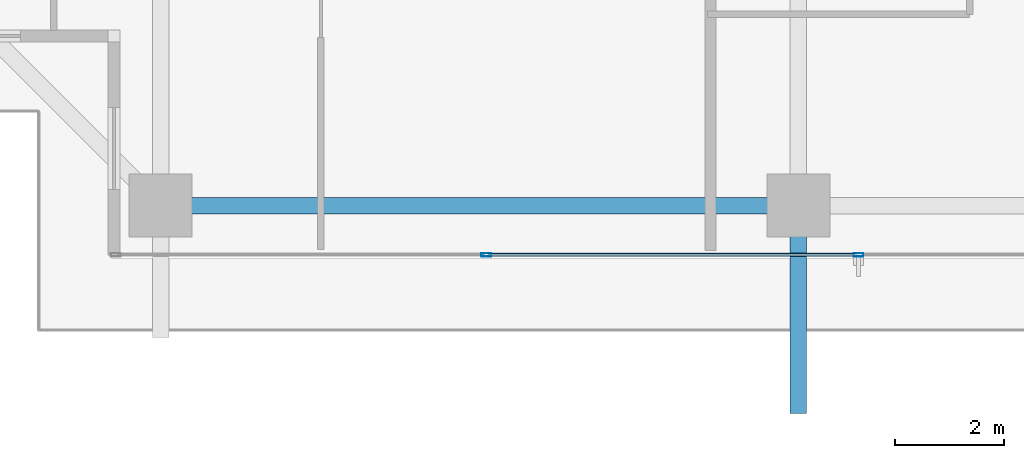
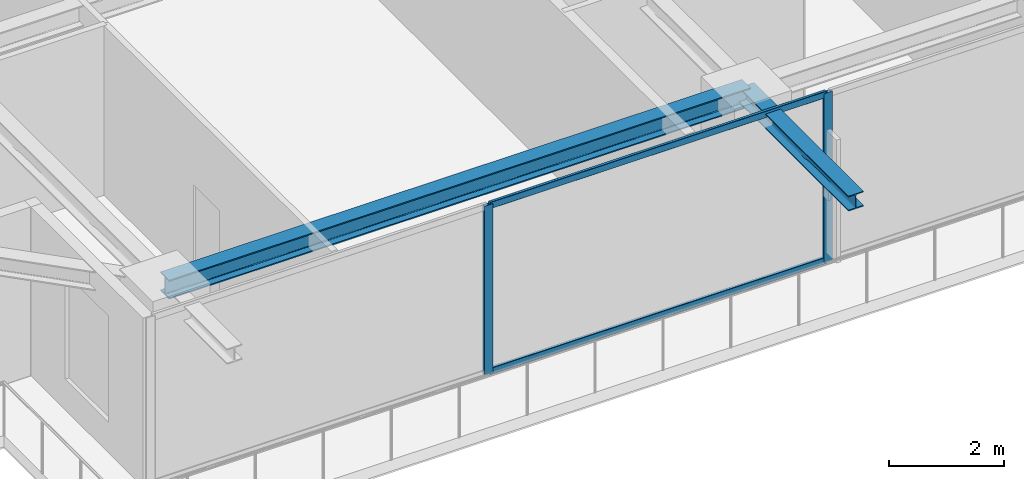
# One storey, part 5 of 40: 4 members, 2 beams, 1 element without a shape of its own.
"""IFC4 building model written with IfcOpenShell, lengths in metres."""

from ifc_helpers import new_model, si_unit, direction, frame, origin, origin_2d, place, context, subcontext, project, spatial, hollow_rectangle, i_section, extrude, source, transform, mapped, material, layer, layer_set, material_profile, profile_set, type_object, element, aggregate, save


model = new_model("IFC4")

# Units and contexts
model_context = context("Model", 3, precision=1e-05, world=origin(), true_north=direction((0.0, 1.0)))
body_context = subcontext(model_context, "Body", "Model", "MODEL_VIEW")
ifc_project = project(units=[si_unit("LENGTHUNIT", "METRE"), si_unit("AREAUNIT", "SQUARE_METRE"), si_unit("VOLUMEUNIT", "CUBIC_METRE"), si_unit("PLANEANGLEUNIT", "RADIAN"), si_unit("MASSUNIT", "GRAM", prefix="KILO")], contexts=[model_context])

# Site, building, storey
site_placement = place(None, origin())
site = spatial("IfcSite", under=ifc_project, at=site_placement, CompositionType="ELEMENT")
building_placement = place(site_placement, origin())
building = spatial("IfcBuilding", under=site, at=building_placement, Name="Serunith Strait Residences", CompositionType="ELEMENT")
storey_placement = place(building_placement, frame((0.0, 0.0, 252.800048828125)))
storey = spatial("IfcBuildingStorey", under=building, at=storey_placement, Name="L63", CompositionType="ELEMENT", Elevation=252.800048828125)

# Beams
ifc_material_1 = material(Name="Steel S355J2", Category="steel")
ifc_material_profile_1 = material_profile(ifc_material_1, i_section(OverallWidth=0.300048828125, OverallDepth=0.39990234375, WebThickness=0.013427734375, FlangeThickness=0.02392578125, FilletRadius=0.027099609375, at=origin_2d()), Name="HEB 400")
ifc_profile_set_1 = profile_set([ifc_material_profile_1], Name="Steel S355J2")
beam_type_1 = type_object("IfcBeamType", Name="BM-HEB400", PredefinedType="BEAM", material=ifc_profile_set_1)
shared_shape_1 = source(origin(), body_context, "Body", "SweptSolid", [
    extrude(i_section(OverallWidth=0.300048828125, OverallDepth=0.39990234375, WebThickness=0.013427734375, FlangeThickness=0.02392578125, FilletRadius=0.027099609375, at=origin_2d()), origin(), (0.0, 0.0, 1.0), 11.64990234375),
])
beam_1_placement = place(storey_placement, frame((16.25, 2.10009765625, 3.386962890625), z_axis=(1.0, 0.0, 0.0), x_axis=(0.0, 1.0, 0.0)))
element("IfcBeam", 1, at=beam_1_placement, inside=storey, type_object=beam_type_1, Name="L63 Perimeter Ring Beam 01", PredefinedType="BEAM", context=body_context, shape_type="MappedRepresentation", body=[
    mapped(shared_shape_1, transform((0.0, 0.0, 0.0), scale=1.0)),
])
ifc_material_profile_2 = material_profile(ifc_material_1, i_section(OverallWidth=0.300048828125, OverallDepth=0.320068359375, WebThickness=0.011474609375, FlangeThickness=0.0205078125, FilletRadius=0.027099609375, at=origin_2d()), Name="HEB 320")
ifc_profile_set_2 = profile_set([ifc_material_profile_2], Name="Steel S355J2")
beam_type_2 = type_object("IfcBeamType", Name="BM-HEB320", PredefinedType="BEAM", material=ifc_profile_set_2)
shared_shape_2 = source(origin(), body_context, "Body", "SweptSolid", [
    extrude(i_section(OverallWidth=0.300048828125, OverallDepth=0.320068359375, WebThickness=0.011474609375, FlangeThickness=0.0205078125, FilletRadius=0.027099609375, at=origin_2d()), origin(), (0.0, 0.0, 1.0), 3.800048828125),
])
beam_2_placement = place(storey_placement, frame((27.89990234375, 2.10009765625, 3.39697265625), z_axis=(0.0, -1.0, 0.0), x_axis=(1.0, 0.0, 0.0)))
element("IfcBeam", 2, at=beam_2_placement, inside=storey, type_object=beam_type_2, Name="L64 Cantilevered Balcony Rib TC-S2", PredefinedType="BEAM", context=body_context, shape_type="MappedRepresentation", body=[
    mapped(shared_shape_2, transform((0.0, 0.0, 0.0), scale=1.0)),
])

# Curtain wall, members
ifc_material_2 = material(Name="Pale-Champagne Anodised Aluminium", Category="aluminium")
ifc_layer = layer(ifc_material_2, 0.199951171875, Name="Pale-Champagne Anodised Aluminium")
ifc_layer_set = layer_set([ifc_layer], Name="Pale-Champagne Anodised Aluminium")
curtain_wall_type = type_object("IfcCurtainWallType", Name="CW-SYS4", PredefinedType="NOTDEFINED", material=ifc_layer_set)
curtain_wall_placement = place(storey_placement, origin())
curtain_wall = element("IfcCurtainWall", 3, at=curtain_wall_placement, inside=storey, type_object=curtain_wall_type, Name="L63 S Unitised Fritted Curtain Wall", PredefinedType="NOTDEFINED")
ifc_material_profile_3 = material_profile(ifc_material_2, hollow_rectangle(XDim=0.06494140625, YDim=0.179931640625, WallThickness=0.00341796875, InnerFilletRadius=0.00537109375, OuterFilletRadius=0.0087890625, at=origin_2d()), Name="ALU 180x65x3.5")
ifc_profile_set_3 = profile_set([ifc_material_profile_3], Name="Pale-Champagne Anodised Aluminium")
member_type_1 = type_object("IfcMemberType", Name="CW-SYS4-MULL", PredefinedType="MULLION", material=ifc_profile_set_3)
shared_shape_3 = source(origin(), body_context, "Body", "SweptSolid", [
    extrude(hollow_rectangle(XDim=0.06494140625, YDim=0.179931640625, WallThickness=0.00341796875, InnerFilletRadius=0.00537109375, OuterFilletRadius=0.0087890625, at=origin_2d()), origin(), (0.0, 0.0, 1.0), 3.574951171875),
])
member_1_placement = place(storey_placement, frame((22.199951171875, 1.199951171875, 0.0), z_axis=(0.0, 0.0, 1.0), x_axis=(0.0, 1.0, 0.0)))
member_1 = element("IfcMember", 4, at=member_1_placement, type_object=member_type_1, Name="CW-4 mullion 2", PredefinedType="MULLION", context=body_context, shape_type="MappedRepresentation", body=[
    mapped(shared_shape_3, transform((0.0, 0.0, 0.0), scale=1.0)),
])
member_2_placement = place(storey_placement, frame((29.0, 1.199951171875, 0.0), z_axis=(0.0, 0.0, 1.0), x_axis=(0.0, 1.0, 0.0)))
member_2 = element("IfcMember", 5, at=member_2_placement, type_object=member_type_1, Name="CW-4 mullion 3", PredefinedType="MULLION", context=body_context, shape_type="MappedRepresentation", body=[
    mapped(shared_shape_3, transform((0.0, 0.0, 0.0), scale=1.0)),
])
ifc_material_profile_4 = material_profile(ifc_material_2, hollow_rectangle(XDim=0.06005859375, YDim=0.139892578125, WallThickness=0.00341796875, InnerFilletRadius=0.00537109375, OuterFilletRadius=0.0087890625, at=origin_2d()), Name="ALU 140x60x3.5")
ifc_profile_set_4 = profile_set([ifc_material_profile_4], Name="Pale-Champagne Anodised Aluminium")
member_type_2 = type_object("IfcMemberType", Name="CW-SYS4-TRAN", PredefinedType="USERDEFINED", material=ifc_profile_set_4)
shared_shape_4 = source(origin(), body_context, "Body", "SweptSolid", [
    extrude(hollow_rectangle(XDim=0.06005859375, YDim=0.139892578125, WallThickness=0.00341796875, InnerFilletRadius=0.00537109375, OuterFilletRadius=0.0087890625, at=origin_2d()), origin(), (0.0, 0.0, 1.0), 6.735107421875),
])
member_3_placement = place(storey_placement, frame((22.232421875, 1.199951171875, 0.030029296875), z_axis=(1.0, 0.0, 0.0), x_axis=(0.0, 1.0, 0.0)))
member_3 = element("IfcMember", 6, at=member_3_placement, type_object=member_type_2, Name="CW-4 transom 2.1", ObjectType="TRANSOM", PredefinedType="USERDEFINED", context=body_context, shape_type="MappedRepresentation", body=[
    mapped(shared_shape_4, transform((0.0, 0.0, 0.0), scale=1.0)),
])
member_4_placement = place(storey_placement, frame((22.232421875, 1.199951171875, 3.544921875), z_axis=(1.0, 0.0, 0.0), x_axis=(0.0, 1.0, 0.0)))
member_4 = element("IfcMember", 7, at=member_4_placement, type_object=member_type_2, Name="CW-4 transom 2.2", ObjectType="TRANSOM", PredefinedType="USERDEFINED", context=body_context, shape_type="MappedRepresentation", body=[
    mapped(shared_shape_4, transform((0.0, 0.0, 0.0), scale=1.0)),
])
aggregate(curtain_wall, [member_1, member_2, member_3, member_4])

save(model, "model.ifc")
